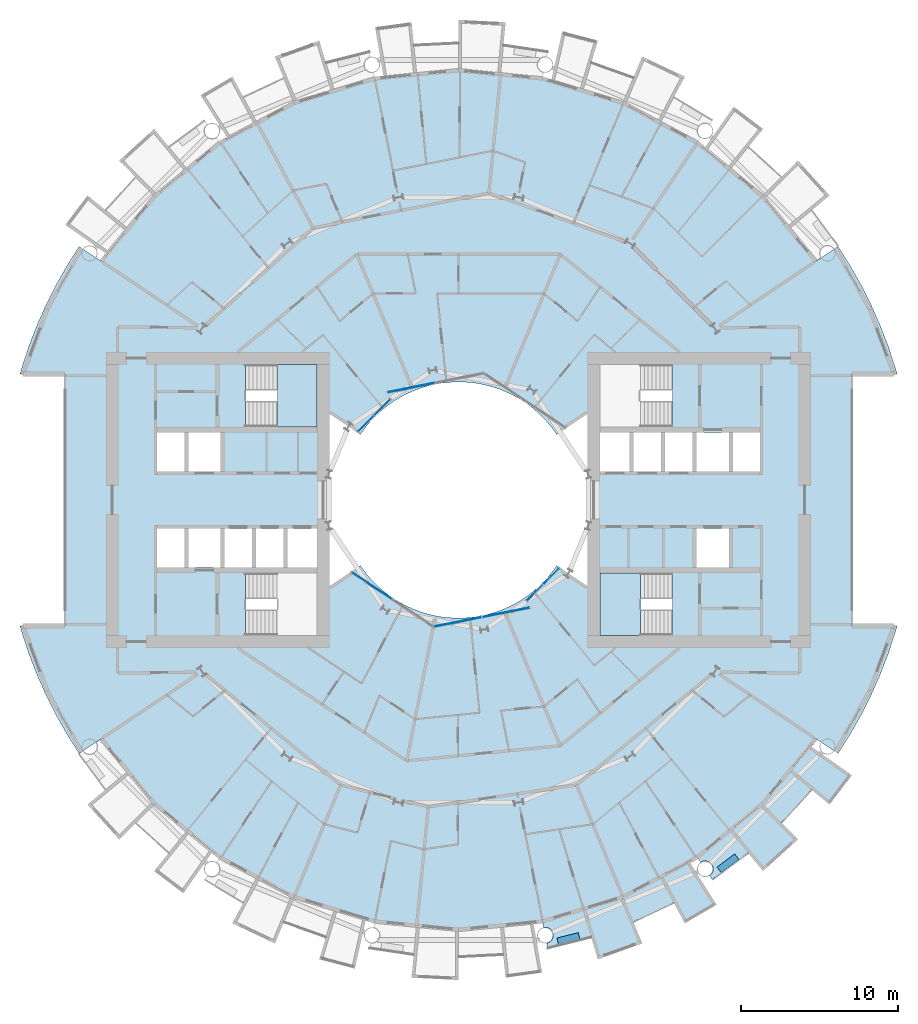
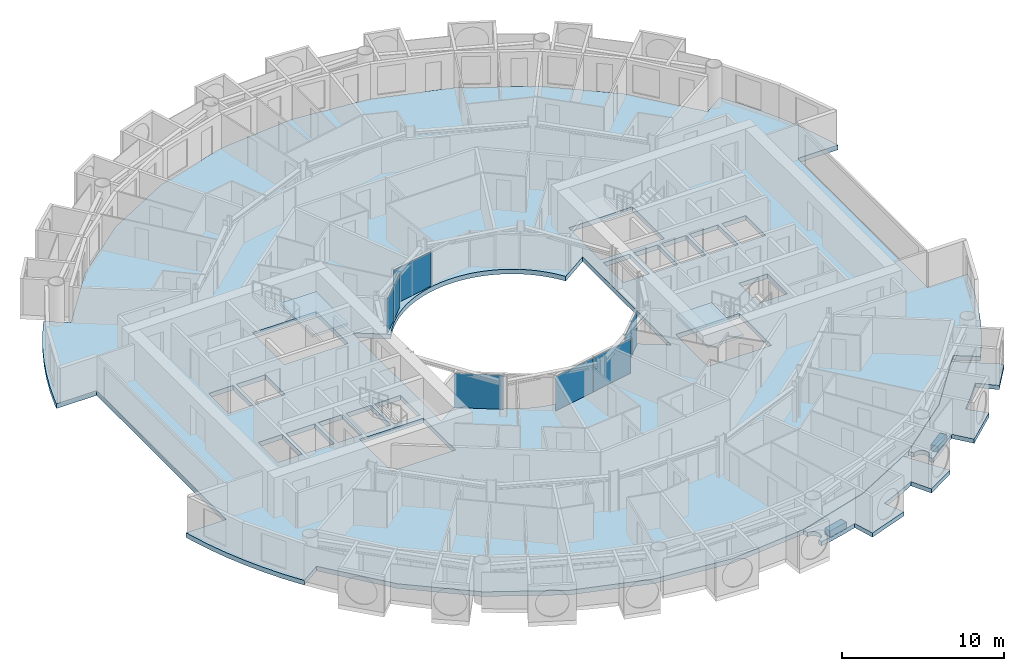
# One storey, part 10 of 26: 8 plates, 7 slabs, 7 elements without a shape of their own.
"""IFC4 building model written with IfcOpenShell, lengths in metres."""

import ifcopenshell
import ifcopenshell.guid

model = None  # the IFC model being written
_history = None  # IfcOwnerHistory: only IFC2X3 demands one
_inside = {}  # id of a spatial element -> (the spatial element, [elements in it])
_under = {}  # id of a project, library or spatial element -> (it, [spatial elements below it])
_declared = {}  # id of a project -> (the project, [libraries it declares])
_typed = {}  # id of a type object -> (the type object, [elements of that type])
_made_of = {}  # id of a material, layer set ... -> (it, [elements and type objects made of it])


def new_model(schema):
    """Start an empty IFC model of exactly this schema.

    Asked for "IFC4X3", IfcOpenShell would pick the latest addendum, in which some entities
    have other attributes; the version numbers below select the first issue.
    IFC2X3 requires an IfcOwnerHistory on every rooted entity: one is made here for all.
    """
    global model, _history
    if schema == "IFC4X3":
        model = ifcopenshell.file(schema_version=(4, 3, 0, 0))
    else:
        model = ifcopenshell.file(schema=schema)
    _inside.clear()
    _under.clear()
    _declared.clear()
    _typed.clear()
    _made_of.clear()
    _history = None
    if model.schema == "IFC2X3":
        org = make("IfcOrganization", Name="unknown")
        user = make(
            "IfcPersonAndOrganization",
            ThePerson=make("IfcPerson", FamilyName="unknown"),
            TheOrganization=org,
        )
        app = make(
            "IfcApplication",
            ApplicationDeveloper=org,
            Version="unknown",
            ApplicationFullName="unknown",
            ApplicationIdentifier="unknown",
        )
        _history = make(
            "IfcOwnerHistory",
            OwningUser=user,
            OwningApplication=app,
            ChangeAction="ADDED",
            CreationDate=0,
        )
    return model


def make(cls, **values):
    """One entity of the class cls with the attributes given. An attribute that is None is left unset."""
    return model.create_entity(
        cls, **{name: value for name, value in values.items() if value is not None}
    )


def rooted(cls, **values):
    """An entity with a GlobalId (a new one), such as an element, a storey or a relation."""
    return make(cls, GlobalId=ifcopenshell.guid.new(), OwnerHistory=_history, **values)


def si_unit(unit_type, name, prefix=None):
    """IfcSIUnit, for example si_unit("LENGTHUNIT", "METRE", prefix="MILLI")."""
    return make("IfcSIUnit", UnitType=unit_type, Prefix=prefix, Name=name)


def assignment(units):
    """IfcUnitAssignment: the units of a project."""
    return None if units is None else make("IfcUnitAssignment", Units=units)


def point(xyz):
    """IfcCartesianPoint."""
    return None if xyz is None else make("IfcCartesianPoint", Coordinates=xyz)


def direction(xyz):
    """IfcDirection."""
    return None if xyz is None else make("IfcDirection", DirectionRatios=xyz)


def frame(location, z_axis=None, x_axis=None):
    """IfcAxis2Placement3D, a coordinate frame: its origin and axes. An axis left out is left unset."""
    return make(
        "IfcAxis2Placement3D",
        Location=point(location),
        Axis=direction(z_axis),
        RefDirection=direction(x_axis),
    )


def frame_2d(location, x_axis=None):
    """IfcAxis2Placement2D, a coordinate frame in the plane: its origin and x axis."""
    return make(
        "IfcAxis2Placement2D", Location=point(location), RefDirection=direction(x_axis)
    )


def origin():
    """The frame at (0, 0, 0) with its axes left unset."""
    return frame((0.0, 0.0, 0.0))


def origin_2d():
    """The frame at (0, 0) in the plane with its x axis left unset."""
    return frame_2d((0.0, 0.0))


def place(relative_to, where):
    """IfcLocalPlacement: puts the frame where relative to a parent placement (None: the world)."""
    return make(
        "IfcLocalPlacement", PlacementRelTo=relative_to, RelativePlacement=where
    )


def context(
    kind, dimensions, precision=None, world=None, true_north=None, identifier=None
):
    """IfcGeometricRepresentationContext, for example the 3D "Model" context."""
    return make(
        "IfcGeometricRepresentationContext",
        ContextIdentifier=identifier,
        ContextType=kind,
        CoordinateSpaceDimension=dimensions,
        Precision=precision,
        WorldCoordinateSystem=world,
        TrueNorth=true_north,
    )


def subcontext(parent, identifier, kind, view, scale=None):
    """IfcGeometricRepresentationSubContext, for example "Body" below "Model"."""
    return make(
        "IfcGeometricRepresentationSubContext",
        ContextIdentifier=identifier,
        ContextType=kind,
        ParentContext=parent,
        TargetScale=scale,
        TargetView=view,
    )


def project(units=None, contexts=None):
    """IfcProject with its units and contexts."""
    return rooted(
        "IfcProject",
        Name="project",
        RepresentationContexts=contexts,
        UnitsInContext=assignment(units),
    )


def spatial(cls, under=None, at=None, **own):
    """A site, building, storey or space (cls), placed at a placement, below another one or the project."""
    s = rooted(cls, ObjectPlacement=at, **own)
    if under is not None:
        _under.setdefault(under.id(), (under, []))[1].append(s)
    return s


def polyline(points):
    """IfcPolyline through the points."""
    return make("IfcPolyline", Points=[point(p) for p in points])


def profile(cls, at=None, kind="AREA", **sizes):
    """A parametric profile (cls). Its sizes go by their IFC names, for example OverallWidth=200.0."""
    return make(cls, ProfileType=kind, Position=at, **sizes)


def rectangle(**sizes):
    """IfcRectangleProfileDef."""
    return profile("IfcRectangleProfileDef", **sizes)


def outline(outer, holes=None, kind="AREA"):
    """IfcArbitraryClosedProfileDef: a profile drawn as a closed curve; with holes, ...WithVoids."""
    if holes is None:
        return make("IfcArbitraryClosedProfileDef", ProfileType=kind, OuterCurve=outer)
    return make(
        "IfcArbitraryProfileDefWithVoids",
        ProfileType=kind,
        OuterCurve=outer,
        InnerCurves=holes,
    )


def extrude(swept, where, along, depth):
    """IfcExtrudedAreaSolid: the profile swept, set in the frame where, extruded along a direction by depth."""
    return make(
        "IfcExtrudedAreaSolid",
        SweptArea=swept,
        Position=where,
        ExtrudedDirection=direction(along),
        Depth=depth,
    )


def shape(context_of_items, identifier, shape_type, items):
    """IfcShapeRepresentation: the items that make up one representation, for example the "Body"."""
    return make(
        "IfcShapeRepresentation",
        ContextOfItems=context_of_items,
        RepresentationIdentifier=identifier,
        RepresentationType=shape_type,
        Items=items,
    )


def material(Name=None, Category=None):
    """IfcMaterial."""
    return make("IfcMaterial", Name=Name, Category=Category)


def layer(
    of_material, thickness, ventilated=None, Name=None, Category=None, Priority=None
):
    """IfcMaterialLayer: one layer of a wall or slab, of a material (None: an air gap)."""
    return make(
        "IfcMaterialLayer",
        Material=of_material,
        LayerThickness=thickness,
        IsVentilated=ventilated,
        Name=Name,
        Category=Category,
        Priority=Priority,
    )


def layer_set(layers, Name=None):
    """IfcMaterialLayerSet."""
    return make("IfcMaterialLayerSet", MaterialLayers=layers, LayerSetName=Name)


def made_of(thing, what):
    """Note that an element or type object is made of a material, layer set ...; save() writes the relation."""
    if what is not None:
        _made_of.setdefault(what.id(), (what, []))[1].append(thing)
    return thing


def type_object(cls, material=None, **own):
    """A type object (cls), such as IfcWallType, which elements share."""
    return made_of(rooted(cls, **own), material)


def element(
    cls,
    number,
    at=None,
    inside=None,
    cuts=None,
    type_object=None,
    material=None,
    context=None,
    identifier="Body",
    shape_type=None,
    held_by="IfcProductDefinitionShape",
    body=None,
    shapes=None,
    **own,
):
    """One element of the class cls, such as IfcWall. Its Tag is "e" and its number.

    at: its placement. inside: the storey or other place that contains it. cuts: it is an
    opening in that element (IfcRelVoidsElement). A single representation is given by context,
    identifier, shape_type and body (its items); several are given by shapes. held_by: the class
    of the entity that holds the representations. save() writes the other relations.
    """
    e = rooted(cls, Tag="e%d" % number, ObjectPlacement=at, **own)
    if body is not None:
        shapes = [shape(context, identifier, shape_type, body)]
    if shapes is not None:
        e.Representation = make(held_by, Representations=shapes)
    if inside is not None:
        _inside.setdefault(inside.id(), (inside, []))[1].append(e)
    if cuts is not None:
        rooted(
            "IfcRelVoidsElement", RelatingBuildingElement=cuts, RelatedOpeningElement=e
        )
    if type_object is not None:
        _typed.setdefault(type_object.id(), (type_object, []))[1].append(e)
    return made_of(e, material)


def aggregate(whole, parts):
    """IfcRelAggregates: a whole, such as a stair, and the parts it consists of."""
    return rooted("IfcRelAggregates", RelatingObject=whole, RelatedObjects=parts)


def save(model, path):
    """Write the relations noted so far, then the file.

    IfcRelAggregates (storeys below a building ...), IfcRelContainedInSpatialStructure (elements
    in a storey), IfcRelDefinesByType, IfcRelAssociatesMaterial and IfcRelDeclares: one each for
    every whole, place, type object, material and project.
    """
    for whole, parts in _under.values():
        aggregate(whole, parts)
    for where, things in _inside.values():
        rooted(
            "IfcRelContainedInSpatialStructure",
            RelatedElements=things,
            RelatingStructure=where,
        )
    for kind, things in _typed.values():
        rooted("IfcRelDefinesByType", RelatedObjects=things, RelatingType=kind)
    for what, things in _made_of.values():
        rooted("IfcRelAssociatesMaterial", RelatedObjects=things, RelatingMaterial=what)
    for by, libraries in _declared.values():
        rooted("IfcRelDeclares", RelatingContext=by, RelatedDefinitions=libraries)
    model.write(path)


model = new_model("IFC4")

# Units and contexts
model_context = context("Model", 3, precision=1e-05, world=origin(), true_north=direction((0.0, 1.0)))
body_context = subcontext(model_context, "Body", "Model", "MODEL_VIEW")
ifc_project = project(units=[si_unit("LENGTHUNIT", "METRE"), si_unit("AREAUNIT", "SQUARE_METRE"), si_unit("VOLUMEUNIT", "CUBIC_METRE"), si_unit("PLANEANGLEUNIT", "RADIAN"), si_unit("MASSUNIT", "GRAM", prefix="KILO")], contexts=[model_context])

# Site, building, storey
site_placement = place(None, origin())
site = spatial("IfcSite", under=ifc_project, at=site_placement, CompositionType="ELEMENT")
building_placement = place(site_placement, origin())
building = spatial("IfcBuilding", under=site, at=building_placement, Name="Maasbend Ring Residences", CompositionType="ELEMENT")
storey_placement = place(building_placement, frame((0.0, 0.0, 38.050048828125)))
storey = spatial("IfcBuildingStorey", under=building, at=storey_placement, Name="L10", CompositionType="ELEMENT", Elevation=38.050048828125)

# Stair, slab
ifc_material_1 = material(Name="Concrete C40/50", Category="concrete")
stair_type = type_object("IfcStairType", Name="CORE STAIR 18 RISERS", PredefinedType="HALF_TURN_STAIR", material=ifc_material_1)
stair_1_placement = place(storey_placement, origin())
stair_1 = element("IfcStair", 1, at=stair_1_placement, inside=storey, type_object=stair_type, Name="L10 Exit stair ST-E2", PredefinedType="HALF_TURN_STAIR")
ifc_material_2 = material(Name="Concrete C40/50", Category="concrete")
ifc_layer_1 = layer(ifc_material_2, 0.199951171875)
ifc_layer_set_1 = layer_set([ifc_layer_1], Name="Concrete C40/50")
slab_type_1 = type_object("IfcSlabType", Name="CORE STAIR LANDING 200", PredefinedType="LANDING", material=ifc_layer_set_1)
slab_1_placement = place(storey_placement, frame((0.0, 0.0, 1.324951171875)))
slab_1 = element("IfcSlab", 2, at=slab_1_placement, type_object=slab_type_1, Name="ST-E2 landing 1", PredefinedType="LANDING", context=body_context, shape_type="SweptSolid", body=[
    extrude(outline(polyline([(11.550048828125, -4.64990234375), (9.0, -4.64990234375), (9.0, -8.60009765625), (11.550048828125, -8.60009765625), (11.550048828125, -4.64990234375)])), origin(), (0.0, 0.0, 1.0), 0.199951171875),
])
aggregate(stair_1, [slab_1])

stair_2_placement = place(storey_placement, origin())
stair_2 = element("IfcStair", 3, at=stair_2_placement, inside=storey, type_object=stair_type, Name="L10 Exit stair ST-W2", PredefinedType="HALF_TURN_STAIR")
slab_2_placement = place(storey_placement, frame((0.0, 0.0, 1.324951171875)))
slab_2 = element("IfcSlab", 4, at=slab_2_placement, type_object=slab_type_1, Name="ST-W2 landing 1", PredefinedType="LANDING", context=body_context, shape_type="SweptSolid", body=[
    extrude(outline(polyline([(-11.550048828125, 4.64990234375), (-9.0, 4.64990234375), (-9.0, 8.60009765625), (-11.550048828125, 8.60009765625), (-11.550048828125, 4.64990234375)])), origin(), (0.0, 0.0, 1.0), 0.199951171875),
])
aggregate(stair_2, [slab_2])

# Curtain wall, plate
ifc_material_3 = material(Name="Aluminium and clear glass", Category="aluminium")
ifc_layer_2 = layer(ifc_material_3, 0.179931640625)
ifc_layer_set_2 = layer_set([ifc_layer_2], Name="CW-W")
curtain_wall_type = type_object("IfcCurtainWallType", Name="CW-W", PredefinedType="NOTDEFINED", material=ifc_layer_set_2)
curtain_wall_1_placement = place(storey_placement, origin())
curtain_wall_1 = element("IfcCurtainWall", 5, at=curtain_wall_1_placement, inside=storey, type_object=curtain_wall_type, Name="Well curtain wall N2", PredefinedType="NOTDEFINED")
ifc_material_4 = material(Name="Glass clear laminated", Category="glass")
ifc_layer_3 = layer(ifc_material_4, 0.031982421875)
ifc_layer_set_3 = layer_set([ifc_layer_3], Name="CWP-W")
plate_type = type_object("IfcPlateType", Name="CWP-W", PredefinedType="CURTAIN_PANEL", material=ifc_layer_set_3)
plate_1_placement = place(storey_placement, frame((-3.0078125, 7.140380859375, 0.0), z_axis=(0.0, 0.0, 1.0), x_axis=(-0.980785280403, -0.195090322016, 0.0)))
plate_1 = element("IfcPlate", 6, at=plate_1_placement, type_object=plate_type, Name="Glass panel well face", PredefinedType="CURTAIN_PANEL", context=body_context, shape_type="SweptSolid", body=[
    extrude(rectangle(XDim=3.053955078125, YDim=0.031982421875, at=origin_2d()), origin(), (0.0, 0.0, 1.0), 2.580078125),
])
aggregate(curtain_wall_1, [plate_1])

# Curtain wall, plates
curtain_wall_2_placement = place(storey_placement, origin())
curtain_wall_2 = element("IfcCurtainWall", 7, at=curtain_wall_2_placement, inside=storey, type_object=curtain_wall_type, Name="Well curtain wall N3", PredefinedType="NOTDEFINED")
plate_2_placement = place(storey_placement, frame((-4.84375, 5.89013671875, 0.0), z_axis=(0.0, 0.0, 1.0), x_axis=(-0.707106781187, -0.707106781187, 0.0)))
plate_2 = element("IfcPlate", 8, at=plate_2_placement, type_object=plate_type, Name="Glass panel well face", PredefinedType="CURTAIN_PANEL", context=body_context, shape_type="SweptSolid", body=[
    extrude(rectangle(XDim=1.419677734375, YDim=0.031982421875, at=origin_2d()), origin(), (0.0, 0.0, 1.0), 2.580078125),
])
plate_3_placement = place(storey_placement, frame((-5.89013671875, 4.84375, 0.0), z_axis=(0.0, 0.0, 1.0), x_axis=(-0.707106781187, -0.707106781187, 0.0)))
plate_3 = element("IfcPlate", 9, at=plate_3_placement, type_object=plate_type, Name="Glass panel well face", PredefinedType="CURTAIN_PANEL", context=body_context, shape_type="SweptSolid", body=[
    extrude(rectangle(XDim=1.419677734375, YDim=0.031982421875, at=origin_2d()), origin(), (0.0, 0.0, 1.0), 2.580078125),
])
aggregate(curtain_wall_2, [plate_2, plate_3])

# Curtain wall, plate
curtain_wall_3_placement = place(storey_placement, origin())
curtain_wall_3 = element("IfcCurtainWall", 10, at=curtain_wall_3_placement, inside=storey, type_object=curtain_wall_type, Name="Well curtain wall S1", PredefinedType="NOTDEFINED")
plate_4_placement = place(storey_placement, frame((-5.51123046875, -5.44580078125, 0.0), z_axis=(0.0, 0.0, 1.0), x_axis=(0.831469612303, -0.55557023302, 0.0)))
plate_4 = element("IfcPlate", 11, at=plate_4_placement, type_object=plate_type, Name="Glass panel well face", PredefinedType="CURTAIN_PANEL", context=body_context, shape_type="SweptSolid", body=[
    extrude(rectangle(XDim=3.053955078125, YDim=0.031982421875, at=origin_2d()), origin(), (0.0, 0.0, 1.0), 2.580078125),
])
aggregate(curtain_wall_3, [plate_4])

# Curtain wall, plates
curtain_wall_4_placement = place(storey_placement, origin())
curtain_wall_4 = element("IfcCurtainWall", 12, at=curtain_wall_4_placement, inside=storey, type_object=curtain_wall_type, Name="Well curtain wall S2", PredefinedType="NOTDEFINED")
plate_5_placement = place(storey_placement, frame((-0.04638671875, -7.747802734375, 0.0), z_axis=(0.0, 0.0, 1.0), x_axis=(0.980785280403, 0.195090322016, 0.0)))
plate_5 = element("IfcPlate", 13, at=plate_5_placement, type_object=plate_type, Name="Glass panel well face", PredefinedType="CURTAIN_PANEL", context=body_context, shape_type="SweptSolid", body=[
    extrude(rectangle(XDim=3.053955078125, YDim=0.031982421875, at=origin_2d()), origin(), (0.0, 0.0, 1.0), 2.580078125),
])
plate_6_placement = place(storey_placement, frame((3.0078125, -7.140380859375, 0.0), z_axis=(0.0, 0.0, 1.0), x_axis=(0.980785280403, 0.195090322016, 0.0)))
plate_6 = element("IfcPlate", 14, at=plate_6_placement, type_object=plate_type, Name="Glass panel well face", PredefinedType="CURTAIN_PANEL", context=body_context, shape_type="SweptSolid", body=[
    extrude(rectangle(XDim=3.053955078125, YDim=0.031982421875, at=origin_2d()), origin(), (0.0, 0.0, 1.0), 2.580078125),
])
aggregate(curtain_wall_4, [plate_5, plate_6])

curtain_wall_5_placement = place(storey_placement, origin())
curtain_wall_5 = element("IfcCurtainWall", 15, at=curtain_wall_5_placement, inside=storey, type_object=curtain_wall_type, Name="Well curtain wall S3", PredefinedType="NOTDEFINED")
plate_7_placement = place(storey_placement, frame((4.84375, -5.89013671875, 0.0), z_axis=(0.0, 0.0, 1.0), x_axis=(0.707106781187, 0.707106781187, 0.0)))
plate_7 = element("IfcPlate", 16, at=plate_7_placement, type_object=plate_type, Name="Glass panel well face", PredefinedType="CURTAIN_PANEL", context=body_context, shape_type="SweptSolid", body=[
    extrude(rectangle(XDim=1.419677734375, YDim=0.031982421875, at=origin_2d()), origin(), (0.0, 0.0, 1.0), 2.580078125),
])
plate_8_placement = place(storey_placement, frame((5.89013671875, -4.84375, 0.0), z_axis=(0.0, 0.0, 1.0), x_axis=(0.707106781187, 0.707106781187, 0.0)))
plate_8 = element("IfcPlate", 17, at=plate_8_placement, type_object=plate_type, Name="Glass panel well face", PredefinedType="CURTAIN_PANEL", context=body_context, shape_type="SweptSolid", body=[
    extrude(rectangle(XDim=1.419677734375, YDim=0.031982421875, at=origin_2d()), origin(), (0.0, 0.0, 1.0), 2.580078125),
])
aggregate(curtain_wall_5, [plate_7, plate_8])

# Slabs
ifc_material_5 = material(Name="Planting with climbing greenery")
ifc_layer_4 = layer(ifc_material_5, 0.449951171875)
ifc_layer_set_4 = layer_set([ifc_layer_4], Name="PLANTER-LG")
slab_type_2 = type_object("IfcSlabType", Name="PLANTER-LG", PredefinedType="USERDEFINED", material=ifc_layer_set_4)
slab_3_placement = place(storey_placement, frame((0.0, 0.0, -0.030029296875)))
element("IfcSlab", 18, at=slab_3_placement, inside=storey, type_object=slab_type_2, Name="Planter with climbing greenery 4", ObjectType="PLANTER", PredefinedType="USERDEFINED", context=body_context, shape_type="SweptSolid", body=[
    extrude(outline(polyline([(6.35888671875, -28.26708984375), (7.717041015625, -27.927001953125), (7.60791015625, -27.489990234375), (6.25, -27.8310546875), (6.35888671875, -28.26708984375)])), origin(), (0.0, 0.0, 1.0), 0.449951171875),
])
slab_4_placement = place(storey_placement, frame((0.0, 0.0, -0.030029296875)))
element("IfcSlab", 19, at=slab_4_placement, inside=storey, type_object=slab_type_2, Name="Planter with climbing greenery 5", ObjectType="PLANTER", PredefinedType="USERDEFINED", context=body_context, shape_type="SweptSolid", body=[
    extrude(outline(polyline([(16.69189453125, -23.681884765625), (17.81689453125, -22.847900390625), (17.549072265625, -22.487060546875), (16.424072265625, -23.321044921875), (16.69189453125, -23.681884765625)])), origin(), (0.0, 0.0, 1.0), 0.449951171875),
])
ifc_material_6 = material(Name="Concrete C40/50", Category="concrete")
ifc_layer_5 = layer(ifc_material_6, 0.35009765625)
ifc_layer_set_5 = layer_set([ifc_layer_5], Name="Concrete C40/50")
slab_type_3 = type_object("IfcSlabType", Name="Post-tensioned flat plate 350", PredefinedType="FLOOR", material=ifc_layer_set_5)
slab_5_placement = place(storey_placement, frame((0.0, 0.0, -0.35009765625)))
element("IfcSlab", 20, at=slab_5_placement, inside=storey, type_object=slab_type_3, Name="Floor slab L10", PredefinedType="FLOOR", context=body_context, shape_type="SweptSolid", body=[
    extrude(outline(polyline([(24.8740234375, -14.908935546875), (25.57568359375, -13.67041015625), (26.2158203125, -12.399169921875), (26.79248046875, -11.097900390625), (27.3046875, -9.769775390625), (27.751220703125, -8.418212890625), (27.866943359375, -8.0), (25.0, -8.0), (25.0, 8.0), (27.866943359375, 8.0), (27.751220703125, 8.418212890625), (27.3046875, 9.769775390625), (26.79248046875, 11.097900390625), (26.2158203125, 12.399169921875), (25.57568359375, 13.67041015625), (24.8740234375, 14.908935546875), (24.112548828125, 16.111572265625), (22.69921875, 15.1669921875), (19.303955078125, 19.303955078125), (15.1669921875, 22.69921875), (10.447265625, 25.221923828125), (5.325927734375, 26.775390625), (0.0, 27.300048828125), (-5.325927734375, 26.775390625), (-10.447265625, 25.221923828125), (-15.1669921875, 22.69921875), (-19.303955078125, 19.303955078125), (-22.69921875, 15.1669921875), (-24.112548828125, 16.111572265625), (-24.8740234375, 14.908935546875), (-25.57568359375, 13.67041015625), (-26.2158203125, 12.399169921875), (-26.79248046875, 11.097900390625), (-27.3046875, 9.769775390625), (-27.751220703125, 8.418212890625), (-27.866943359375, 8.0), (-25.0, 8.0), (-25.0, -8.0), (-27.866943359375, -8.0), (-27.751220703125, -8.418212890625), (-27.3046875, -9.769775390625), (-26.79248046875, -11.097900390625), (-26.2158203125, -12.399169921875), (-25.57568359375, -13.67041015625), (-24.8740234375, -14.908935546875), (-24.112548828125, -16.111572265625), (-22.69921875, -15.1669921875), (-19.303955078125, -19.303955078125), (-15.1669921875, -22.69921875), (-10.447265625, -25.221923828125), (-5.325927734375, -26.775390625), (0.0, -27.300048828125), (5.325927734375, -26.775390625), (10.447265625, -25.221923828125), (15.1669921875, -22.69921875), (19.303955078125, -19.303955078125), (22.69921875, -15.1669921875), (24.112548828125, -16.111572265625), (24.8740234375, -14.908935546875)]), holes=[polyline([(17.425048828125, 4.27490234375), (19.14990234375, 4.27490234375), (19.14990234375, 1.824951171875), (17.425048828125, 1.824951171875), (17.425048828125, 4.27490234375)]), polyline([(15.125, 1.824951171875), (15.125, 4.27490234375), (17.175048828125, 4.27490234375), (17.175048828125, 1.824951171875), (15.125, 1.824951171875)]), polyline([(15.125, -4.27490234375), (15.125, -1.824951171875), (17.175048828125, -1.824951171875), (17.175048828125, -4.27490234375), (15.125, -4.27490234375)]), polyline([(13.125, 1.824951171875), (13.125, 4.27490234375), (14.875, 4.27490234375), (14.875, 1.824951171875), (13.125, 1.824951171875)]), polyline([(13.550048828125, 4.64990234375), (9.0, 4.64990234375), (9.0, 8.60009765625), (13.550048828125, 8.60009765625), (13.550048828125, 4.64990234375)]), polyline([(13.550048828125, -4.64990234375), (13.550048828125, -8.60009765625), (9.0, -8.60009765625), (9.0, -4.64990234375), (13.550048828125, -4.64990234375)]), polyline([(11.125, 1.824951171875), (11.125, 4.27490234375), (12.875, 4.27490234375), (12.875, 1.824951171875), (11.125, 1.824951171875)]), polyline([(9.0, 1.824951171875), (9.0, 4.27490234375), (10.875, 4.27490234375), (10.875, 1.824951171875), (9.0, 1.824951171875)]), polyline([(6.024169921875, 4.4677734375), (6.236083984375, 4.166748046875), (8.199951171875, 5.47900390625), (8.199951171875, -5.47900390625), (6.236083984375, -4.166748046875), (6.024169921875, -4.4677734375), (5.797607421875, -4.7578125), (5.55712890625, -5.03662109375), (5.30322265625, -5.30322265625), (5.03662109375, -5.55712890625), (4.7578125, -5.797607421875), (4.4677734375, -6.024169921875), (4.166748046875, -6.236083984375), (3.855712890625, -6.43310546875), (3.535400390625, -6.614501953125), (3.206787109375, -6.77978515625), (2.8701171875, -6.92919921875), (2.526611328125, -7.0615234375), (2.177001953125, -7.177001953125), (1.822509765625, -7.275146484375), (1.463134765625, -7.35595703125), (1.1005859375, -7.418701171875), (0.735107421875, -7.4638671875), (0.367919921875, -7.490966796875), (0.0, -7.5), (-0.367919921875, -7.490966796875), (-0.735107421875, -7.4638671875), (-1.1005859375, -7.418701171875), (-1.463134765625, -7.35595703125), (-1.822509765625, -7.275146484375), (-2.177001953125, -7.177001953125), (-2.526611328125, -7.0615234375), (-2.8701171875, -6.92919921875), (-3.206787109375, -6.77978515625), (-3.535400390625, -6.614501953125), (-3.855712890625, -6.43310546875), (-4.166748046875, -6.236083984375), (-4.4677734375, -6.024169921875), (-4.7578125, -5.797607421875), (-5.03662109375, -5.55712890625), (-5.30322265625, -5.30322265625), (-5.55712890625, -5.03662109375), (-5.797607421875, -4.7578125), (-6.024169921875, -4.4677734375), (-6.236083984375, -4.166748046875), (-8.199951171875, -5.47900390625), (-8.199951171875, 5.47900390625), (-6.236083984375, 4.166748046875), (-6.236083984375, 4.166748046875), (-6.024169921875, 4.4677734375), (-5.797607421875, 4.7578125), (-5.55712890625, 5.03662109375), (-5.30322265625, 5.30322265625), (-5.03662109375, 5.55712890625), (-4.7578125, 5.797607421875), (-4.4677734375, 6.024169921875), (-4.166748046875, 6.236083984375), (-3.855712890625, 6.43310546875), (-3.535400390625, 6.614501953125), (-3.206787109375, 6.77978515625), (-2.8701171875, 6.92919921875), (-2.526611328125, 7.0615234375), (-2.177001953125, 7.177001953125), (-1.822509765625, 7.275146484375), (-1.463134765625, 7.35595703125), (-1.1005859375, 7.418701171875), (-0.735107421875, 7.4638671875), (-0.367919921875, 7.490966796875), (0.0, 7.5), (0.367919921875, 7.490966796875), (0.735107421875, 7.4638671875), (1.1005859375, 7.418701171875), (1.463134765625, 7.35595703125), (1.822509765625, 7.275146484375), (2.177001953125, 7.177001953125), (2.526611328125, 7.0615234375), (2.8701171875, 6.92919921875), (3.206787109375, 6.77978515625), (3.535400390625, 6.614501953125), (3.855712890625, 6.43310546875), (4.166748046875, 6.236083984375), (4.4677734375, 6.024169921875), (4.7578125, 5.797607421875), (5.03662109375, 5.55712890625), (5.30322265625, 5.30322265625), (5.55712890625, 5.03662109375), (5.797607421875, 4.7578125), (6.024169921875, 4.4677734375)]), polyline([(-13.550048828125, 4.64990234375), (-13.550048828125, 8.60009765625), (-9.0, 8.60009765625), (-9.0, 4.64990234375), (-13.550048828125, 4.64990234375)]), polyline([(-13.550048828125, -8.60009765625), (-13.550048828125, -4.64990234375), (-9.0, -4.64990234375), (-9.0, -8.60009765625), (-13.550048828125, -8.60009765625)]), polyline([(-9.0, -1.824951171875), (-9.0, -4.27490234375), (-10.875, -4.27490234375), (-10.875, -1.824951171875), (-9.0, -1.824951171875)]), polyline([(-11.125, -1.824951171875), (-11.125, -4.27490234375), (-12.875, -4.27490234375), (-12.875, -1.824951171875), (-11.125, -1.824951171875)]), polyline([(-13.125, -1.824951171875), (-13.125, -4.27490234375), (-14.875, -4.27490234375), (-14.875, -1.824951171875), (-13.125, -1.824951171875)]), polyline([(-15.125, 4.27490234375), (-15.125, 1.824951171875), (-17.175048828125, 1.824951171875), (-17.175048828125, 4.27490234375), (-15.125, 4.27490234375)]), polyline([(-15.125, -1.824951171875), (-15.125, -4.27490234375), (-17.175048828125, -4.27490234375), (-17.175048828125, -1.824951171875), (-15.125, -1.824951171875)]), polyline([(-17.425048828125, -1.824951171875), (-17.425048828125, -4.27490234375), (-19.14990234375, -4.27490234375), (-19.14990234375, -1.824951171875), (-17.425048828125, -1.824951171875)]), polyline([(-17.425048828125, 4.27490234375), (-17.425048828125, 1.824951171875), (-19.14990234375, 1.824951171875), (-19.14990234375, 4.27490234375), (-17.425048828125, 4.27490234375)])]), origin(), (0.0, 0.0, 1.0), 0.35009765625),
])
ifc_material_7 = material(Name="Concrete C40/50", Category="concrete")
ifc_layer_6 = layer(ifc_material_7, 0.199951171875)
ifc_layer_set_6 = layer_set([ifc_layer_6], Name="Concrete C40/50")
slab_type_4 = type_object("IfcSlabType", Name="SL-LOGGIA", PredefinedType="FLOOR", material=ifc_layer_set_6)
slab_6_placement = place(storey_placement, frame((0.0, 0.0, -0.35009765625)))
element("IfcSlab", 21, at=slab_6_placement, inside=storey, type_object=slab_type_4, Name="Loggia floor 2", PredefinedType="FLOOR", context=body_context, shape_type="SweptSolid", body=[
    extrude(outline(polyline([(10.447021484375, -25.221923828125), (12.806884765625, -23.9609375), (14.64599609375, -22.97705078125), (14.64599609375, -22.97705078125), (14.64599609375, -22.97705078125), (16.39404296875, -25.718994140625), (16.39404296875, -25.718994140625), (16.39404296875, -25.718994140625), (14.3779296875, -26.89892578125), (14.3779296875, -26.89892578125), (14.3779296875, -26.89892578125), (13.6708984375, -25.575927734375), (13.6708984375, -25.575927734375), (13.6708984375, -25.575927734375), (13.6708984375, -25.575927734375), (13.6708984375, -25.575927734375), (13.6708984375, -25.575927734375), (13.6708984375, -25.575927734375), (13.669921875, -25.575927734375), (13.669921875, -25.575927734375), (13.669921875, -25.575927734375), (13.669921875, -25.575927734375), (13.669921875, -25.575927734375), (13.669921875, -25.575927734375), (13.669921875, -25.575927734375), (13.669921875, -25.575927734375), (13.669921875, -25.575927734375), (13.669921875, -25.575927734375), (12.825927734375, -26.009033203125), (12.825927734375, -26.009033203125), (11.968994140625, -26.4150390625), (11.968994140625, -26.4150390625), (11.097900390625, -26.7919921875), (11.097900390625, -26.7919921875), (11.097900390625, -26.7919921875), (11.097900390625, -26.7919921875), (11.097900390625, -26.7919921875), (11.097900390625, -26.7919921875), (11.097900390625, -26.7919921875), (11.097900390625, -26.79296875), (11.097900390625, -26.79296875), (11.097900390625, -26.79296875), (11.097900390625, -26.79296875), (11.097900390625, -26.79296875), (11.097900390625, -26.79296875), (11.097900390625, -26.79296875), (11.097900390625, -26.79296875), (11.097900390625, -26.79296875), (11.097900390625, -26.79296875), (11.672119140625, -28.177978515625), (11.672119140625, -28.177978515625), (11.672119140625, -28.177978515625), (8.85400390625, -29.18701171875), (8.85400390625, -29.18701171875), (8.85400390625, -29.18701171875), (8.41796875, -27.751953125), (8.41796875, -27.751953125), (8.41796875, -27.751953125), (8.41796875, -27.751953125), (8.41796875, -27.751953125), (8.41796875, -27.751953125), (8.41796875, -27.751953125), (8.41796875, -27.7509765625), (8.41796875, -27.7509765625), (8.41796875, -27.7509765625), (8.41796875, -27.7509765625), (8.41796875, -27.7509765625), (8.41796875, -27.7509765625), (8.41796875, -27.7509765625), (8.41796875, -27.7509765625), (8.41796875, -27.7509765625), (8.41796875, -27.7509765625), (7.506103515625, -28.011962890625), (7.506103515625, -28.011962890625), (6.5849609375, -28.241943359375), (6.5849609375, -28.241943359375), (5.657958984375, -28.443115234375), (5.657958984375, -28.443115234375), (5.657958984375, -28.443115234375), (5.60107421875, -28.156005859375), (5.613037109375, -28.154052734375), (5.625, -28.15087890625), (5.636962890625, -28.14794921875), (5.64892578125, -28.14404296875), (5.660888671875, -28.139892578125), (5.673095703125, -28.135986328125), (5.68408203125, -28.132080078125), (5.696044921875, -28.126953125), (5.70703125, -28.123046875), (5.718994140625, -28.116943359375), (5.72998046875, -28.112060546875), (5.740966796875, -28.10595703125), (5.751953125, -28.10009765625), (5.762939453125, -28.093994140625), (5.77294921875, -28.0869140625), (5.783935546875, -28.080078125), (5.7939453125, -28.072998046875), (5.803955078125, -28.06591796875), (5.81396484375, -28.05908203125), (5.823974609375, -28.051025390625), (5.8330078125, -28.04296875), (5.843017578125, -28.034912109375), (5.85205078125, -28.02587890625), (5.861083984375, -28.01708984375), (5.868896484375, -28.008056640625), (5.8779296875, -27.9990234375), (5.885986328125, -27.989990234375), (5.89404296875, -27.97998046875), (5.902099609375, -27.970947265625), (5.909912109375, -27.9609375), (5.9169921875, -27.950927734375), (5.924072265625, -27.93994140625), (5.930908203125, -27.929931640625), (5.93701171875, -27.9189453125), (5.944091796875, -27.907958984375), (5.949951171875, -27.89794921875), (5.955078125, -27.886962890625), (5.9609375, -27.875), (5.966064453125, -27.864013671875), (5.970947265625, -27.85302734375), (5.97509765625, -27.841064453125), (5.97998046875, -27.8291015625), (5.98388671875, -27.81689453125), (5.988037109375, -27.805908203125), (5.990966796875, -27.7939453125), (5.993896484375, -27.781982421875), (5.9970703125, -27.76904296875), (6.0, -27.757080078125), (6.001953125, -27.7451171875), (6.00390625, -27.73291015625), (6.006103515625, -27.719970703125), (6.007080078125, -27.7080078125), (6.008056640625, -27.695068359375), (6.009033203125, -27.68310546875), (6.009033203125, -27.6708984375), (6.010009765625, -27.657958984375), (6.009033203125, -27.64599609375), (6.009033203125, -27.633056640625), (6.008056640625, -27.62109375), (6.007080078125, -27.60791015625), (6.006103515625, -27.595947265625), (6.00390625, -27.583984375), (6.001953125, -27.571044921875), (6.0, -27.55908203125), (5.9970703125, -27.547119140625), (5.993896484375, -27.534912109375), (5.990966796875, -27.52294921875), (5.988037109375, -27.510986328125), (5.98388671875, -27.4990234375), (5.97998046875, -27.487060546875), (5.97509765625, -27.47509765625), (5.970947265625, -27.464111328125), (5.966064453125, -27.451904296875), (5.9609375, -27.44091796875), (5.955078125, -27.429931640625), (5.949951171875, -27.4189453125), (5.944091796875, -27.407958984375), (5.93701171875, -27.39697265625), (5.930908203125, -27.385986328125), (5.924072265625, -27.3759765625), (5.9169921875, -27.365966796875), (5.909912109375, -27.35498046875), (5.902099609375, -27.345947265625), (5.89404296875, -27.3359375), (5.885986328125, -27.325927734375), (5.8779296875, -27.31689453125), (5.868896484375, -27.30810546875), (5.861083984375, -27.299072265625), (5.85205078125, -27.2900390625), (5.843017578125, -27.281982421875), (5.8330078125, -27.27294921875), (5.823974609375, -27.264892578125), (5.81396484375, -27.258056640625), (5.803955078125, -27.25), (5.7939453125, -27.242919921875), (5.783935546875, -27.236083984375), (5.77294921875, -27.22900390625), (5.762939453125, -27.221923828125), (5.751953125, -27.216064453125), (5.740966796875, -27.2099609375), (5.72998046875, -27.2041015625), (5.718994140625, -27.198974609375), (5.70703125, -27.194091796875), (5.696044921875, -27.18896484375), (5.68408203125, -27.18408203125), (5.673095703125, -27.179931640625), (5.660888671875, -27.176025390625), (5.64892578125, -27.172119140625), (5.636962890625, -27.1689453125), (5.625, -27.1650390625), (5.613037109375, -27.162109375), (5.60107421875, -27.159912109375), (5.587890625, -27.157958984375), (5.575927734375, -27.156005859375), (5.56396484375, -27.154052734375), (5.551025390625, -27.153076171875), (5.5390625, -27.15087890625), (5.52587890625, -27.15087890625), (5.513916015625, -27.14990234375), (5.501953125, -27.14990234375), (5.489013671875, -27.14990234375), (5.47705078125, -27.15087890625), (5.464111328125, -27.15087890625), (5.451904296875, -27.153076171875), (5.43896484375, -27.154052734375), (5.427001953125, -27.156005859375), (5.4150390625, -27.157958984375), (5.402099609375, -27.159912109375), (5.325927734375, -26.77490234375), (5.325927734375, -26.77490234375), (5.325927734375, -26.77490234375), (7.886962890625, -25.9990234375), (10.447021484375, -25.221923828125), (10.447021484375, -25.221923828125), (10.447021484375, -25.221923828125)])), origin(), (0.0, 0.0, 1.0), 0.320068359375),
])
slab_7_placement = place(storey_placement, frame((0.0, 0.0, -0.35009765625)))
element("IfcSlab", 22, at=slab_7_placement, inside=storey, type_object=slab_type_4, Name="Loggia floor 5", PredefinedType="FLOOR", context=body_context, shape_type="SweptSolid", body=[
    extrude(outline(polyline([(19.303955078125, -19.303955078125), (21.001953125, -17.236083984375), (22.324951171875, -15.623046875), (22.324951171875, -15.623046875), (22.324951171875, -15.623046875), (24.989013671875, -17.488037109375), (24.989013671875, -17.488037109375), (24.989013671875, -17.488037109375), (23.576904296875, -19.34912109375), (23.576904296875, -19.34912109375), (23.576904296875, -19.34912109375), (22.41796875, -18.39794921875), (22.41796875, -18.39794921875), (22.41796875, -18.39794921875), (22.41796875, -18.39794921875), (22.41796875, -18.39794921875), (22.4169921875, -18.39794921875), (22.4169921875, -18.39794921875), (22.4169921875, -18.39794921875), (22.4169921875, -18.39794921875), (22.4169921875, -18.39794921875), (22.4169921875, -18.39794921875), (22.4169921875, -18.39794921875), (22.4169921875, -18.39794921875), (22.4169921875, -18.39794921875), (22.4169921875, -18.39794921875), (22.4169921875, -18.39794921875), (22.4169921875, -18.39794921875), (21.802978515625, -19.12109375), (21.802978515625, -19.12109375), (21.166015625, -19.823974609375), (21.166015625, -19.823974609375), (20.506103515625, -20.506103515625), (20.506103515625, -20.506103515625), (20.506103515625, -20.506103515625), (20.506103515625, -20.506103515625), (20.506103515625, -20.506103515625), (20.506103515625, -20.506103515625), (20.506103515625, -20.506103515625), (20.506103515625, -20.506103515625), (20.506103515625, -20.506103515625), (20.506103515625, -20.506103515625), (20.506103515625, -20.506103515625), (20.506103515625, -20.506103515625), (20.506103515625, -20.506103515625), (20.506103515625, -20.506103515625), (20.506103515625, -20.506103515625), (20.506103515625, -20.506103515625), (20.506103515625, -20.506103515625), (21.56689453125, -21.56689453125), (21.56689453125, -21.56689453125), (21.56689453125, -21.56689453125), (19.34912109375, -23.576904296875), (19.34912109375, -23.576904296875), (19.34912109375, -23.576904296875), (18.39794921875, -22.41796875), (18.39794921875, -22.41796875), (18.39794921875, -22.41796875), (18.39794921875, -22.41796875), (18.39794921875, -22.41796875), (18.39794921875, -22.41796875), (18.39697265625, -22.41796875), (18.39697265625, -22.41796875), (18.39697265625, -22.41796875), (18.39697265625, -22.41796875), (18.39697265625, -22.41796875), (18.39697265625, -22.41796875), (18.39697265625, -22.41796875), (18.39697265625, -22.41796875), (18.39697265625, -22.41796875), (18.39697265625, -22.41796875), (18.39697265625, -22.41796875), (17.654052734375, -23.007080078125), (17.654052734375, -23.007080078125), (16.89208984375, -23.572998046875), (16.89208984375, -23.572998046875), (16.112060546875, -24.113037109375), (16.112060546875, -24.113037109375), (16.112060546875, -24.113037109375), (15.948974609375, -23.8701171875), (15.948974609375, -23.8701171875), (15.9599609375, -23.863037109375), (15.969970703125, -23.85498046875), (15.97998046875, -23.847900390625), (15.989013671875, -23.840087890625), (15.9990234375, -23.83203125), (16.008056640625, -23.823974609375), (16.01708984375, -23.81494140625), (16.02587890625, -23.806884765625), (16.034912109375, -23.798095703125), (16.0439453125, -23.7890625), (16.052001953125, -23.779052734375), (16.06005859375, -23.77001953125), (16.068115234375, -23.760009765625), (16.074951171875, -23.75), (16.08203125, -23.739990234375), (16.089111328125, -23.72998046875), (16.095947265625, -23.718994140625), (16.10302734375, -23.708984375), (16.10888671875, -23.697998046875), (16.114990234375, -23.68701171875), (16.12109375, -23.676025390625), (16.1259765625, -23.6650390625), (16.132080078125, -23.653076171875), (16.135986328125, -23.64208984375), (16.14111328125, -23.6298828125), (16.14501953125, -23.618896484375), (16.14892578125, -23.60693359375), (16.153076171875, -23.594970703125), (16.156982421875, -23.5830078125), (16.159912109375, -23.571044921875), (16.1630859375, -23.55908203125), (16.1650390625, -23.547119140625), (16.16796875, -23.533935546875), (16.169921875, -23.52197265625), (16.1708984375, -23.510009765625), (16.173095703125, -23.4970703125), (16.174072265625, -23.485107421875), (16.174072265625, -23.471923828125), (16.175048828125, -23.4599609375), (16.175048828125, -23.447021484375), (16.175048828125, -23.43505859375), (16.174072265625, -23.422119140625), (16.174072265625, -23.409912109375), (16.173095703125, -23.39794921875), (16.1708984375, -23.385009765625), (16.169921875, -23.373046875), (16.16796875, -23.361083984375), (16.1650390625, -23.347900390625), (16.1630859375, -23.3359375), (16.159912109375, -23.323974609375), (16.156982421875, -23.31201171875), (16.153076171875, -23.300048828125), (16.14892578125, -23.2880859375), (16.14501953125, -23.27587890625), (16.14111328125, -23.264892578125), (16.135986328125, -23.2529296875), (16.132080078125, -23.241943359375), (16.1259765625, -23.22998046875), (16.12109375, -23.218994140625), (16.114990234375, -23.2080078125), (16.10888671875, -23.197021484375), (16.10302734375, -23.18603515625), (16.095947265625, -23.176025390625), (16.089111328125, -23.1650390625), (16.08203125, -23.155029296875), (16.074951171875, -23.14501953125), (16.068115234375, -23.135009765625), (16.06005859375, -23.125), (16.052001953125, -23.115966796875), (16.0439453125, -23.10595703125), (16.034912109375, -23.096923828125), (16.02587890625, -23.087890625), (16.01708984375, -23.0791015625), (16.008056640625, -23.071044921875), (15.9990234375, -23.06298828125), (15.989013671875, -23.054931640625), (15.97998046875, -23.047119140625), (15.969970703125, -23.0390625), (15.9599609375, -23.031982421875), (15.948974609375, -23.02490234375), (15.93896484375, -23.01806640625), (15.927978515625, -23.011962890625), (15.9169921875, -23.0048828125), (15.906982421875, -22.9990234375), (15.89599609375, -22.993896484375), (15.884033203125, -22.988037109375), (15.873046875, -22.98291015625), (15.862060546875, -22.97802734375), (15.85009765625, -22.972900390625), (15.837890625, -22.968994140625), (15.825927734375, -22.965087890625), (15.81494140625, -22.9609375), (15.802978515625, -22.9580078125), (15.791015625, -22.955078125), (15.778076171875, -22.951904296875), (15.76611328125, -22.948974609375), (15.75390625, -22.947021484375), (15.741943359375, -22.945068359375), (15.72900390625, -22.943115234375), (15.717041015625, -22.94189453125), (15.7041015625, -22.94091796875), (15.69189453125, -22.93994140625), (15.679931640625, -22.93994140625), (15.6669921875, -22.93896484375), (15.655029296875, -22.93994140625), (15.64208984375, -22.93994140625), (15.6298828125, -22.94091796875), (15.616943359375, -22.94189453125), (15.60498046875, -22.943115234375), (15.593017578125, -22.945068359375), (15.580078125, -22.947021484375), (15.568115234375, -22.948974609375), (15.555908203125, -22.951904296875), (15.5439453125, -22.955078125), (15.531982421875, -22.9580078125), (15.52001953125, -22.9609375), (15.508056640625, -22.965087890625), (15.49609375, -22.968994140625), (15.48388671875, -22.972900390625), (15.472900390625, -22.97802734375), (15.4609375, -22.98291015625), (15.449951171875, -22.988037109375), (15.43896484375, -22.993896484375), (15.427978515625, -22.9990234375), (15.4169921875, -23.0048828125), (15.406005859375, -23.011962890625), (15.39501953125, -23.01806640625), (15.385009765625, -23.02490234375), (15.385009765625, -23.02490234375), (15.1669921875, -22.698974609375), (15.1669921875, -22.698974609375), (15.1669921875, -22.698974609375), (17.236083984375, -21.001953125), (19.303955078125, -19.303955078125), (19.303955078125, -19.303955078125), (19.303955078125, -19.303955078125)])), origin(), (0.0, 0.0, 1.0), 0.320068359375),
])

save(model, "model.ifc")
